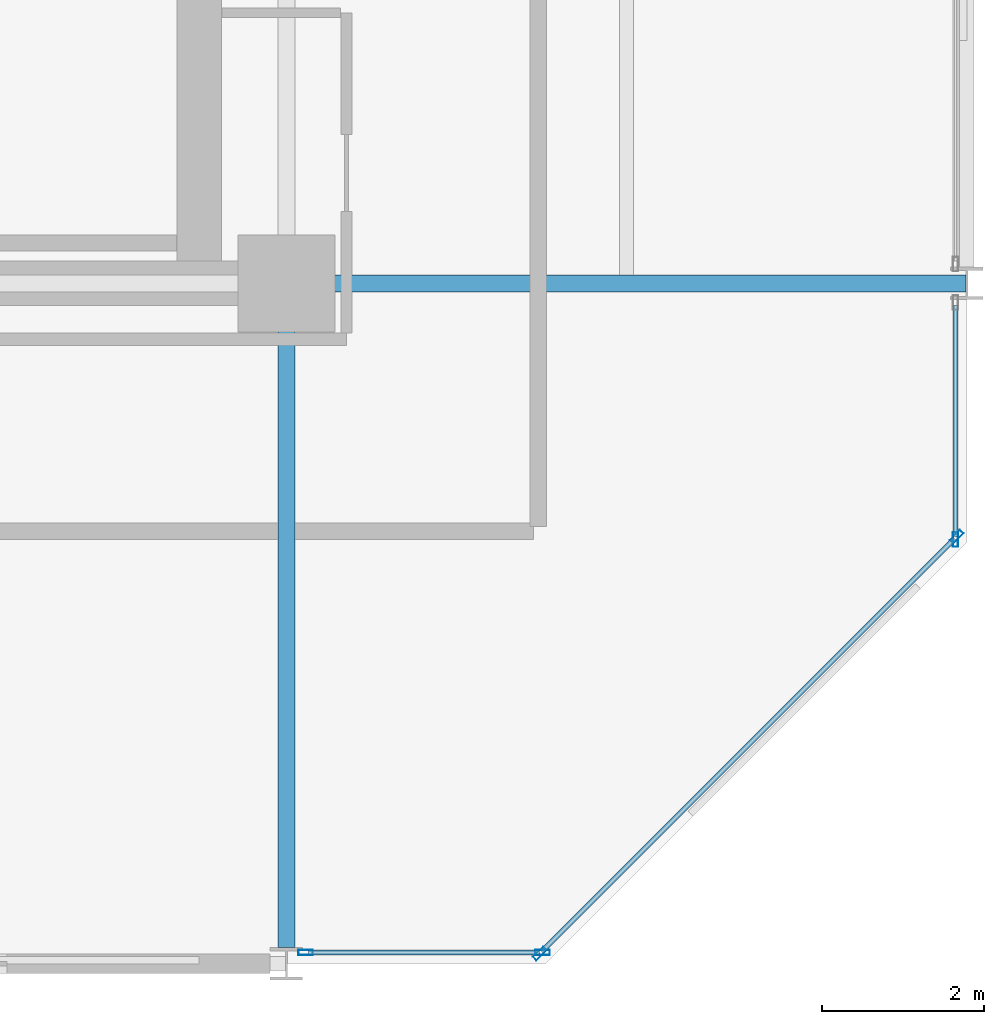
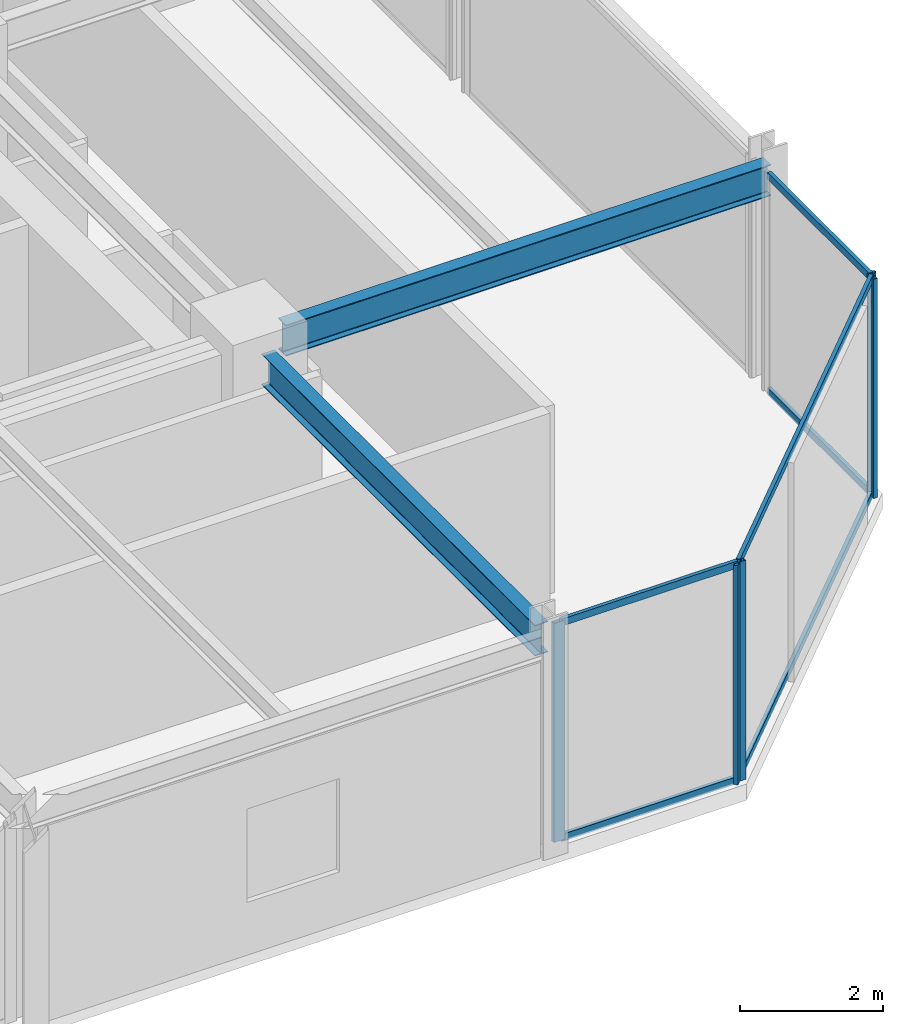
# One storey, part 13 of 29: 11 members, 2 beams, 3 elements without a shape of their own.
"""IFC4 building model written with IfcOpenShell, lengths in metres."""

from ifc_helpers import new_model, si_unit, direction, frame, origin, origin_2d, place, context, subcontext, project, spatial, hollow_rectangle, i_section, extrude, material, layer, layer_set, material_profile, profile_set, type_object, element, aggregate, save


model = new_model("IFC4")

# Units and contexts
model_context = context("Model", 3, precision=1e-05, world=origin(), true_north=direction((0.0, 1.0)))
body_context = subcontext(model_context, "Body", "Model", "MODEL_VIEW")
ifc_project = project(units=[si_unit("LENGTHUNIT", "METRE"), si_unit("AREAUNIT", "SQUARE_METRE"), si_unit("VOLUMEUNIT", "CUBIC_METRE"), si_unit("PLANEANGLEUNIT", "RADIAN"), si_unit("MASSUNIT", "GRAM", prefix="KILO")], contexts=[model_context])

# Site, building, storey
site_placement = place(None, origin())
site = spatial("IfcSite", under=ifc_project, at=site_placement, CompositionType="ELEMENT")
building_placement = place(site_placement, origin())
building = spatial("IfcBuilding", under=site, at=building_placement, Name="Nerrivon Quay Data Exchange", CompositionType="ELEMENT")
storey_placement = place(building_placement, frame((0.0, 0.0, 158.199951171875)))
storey = spatial("IfcBuildingStorey", under=building, at=storey_placement, Name="L37", CompositionType="ELEMENT", Elevation=158.199951171875)

# Beams
ifc_material_1 = material(Name="Steel Grade 350", Category="steel")
ifc_material_profile_1 = material_profile(ifc_material_1, i_section(OverallWidth=0.208984375, OverallDepth=0.532958984375, WebThickness=0.01025390625, FlangeThickness=0.015625, FilletRadius=0.013916015625, at=origin_2d()), Name="530UB92.4")
ifc_profile_set_1 = profile_set([ifc_material_profile_1], Name="Steel Grade 350")
beam_type_1 = type_object("IfcBeamType", Name="BM-G3-530UB92", PredefinedType="BEAM", material=ifc_profile_set_1)
beam_1_placement = place(storey_placement, frame((34.139892578125, 8.39990234375, 3.483642578125), z_axis=(1.0, 0.0, 0.0), x_axis=(0.0, 1.0, 0.0)))
element("IfcBeam", 1, at=beam_1_placement, inside=storey, type_object=beam_type_1, Name="L37 EW Girder Y=8.4 (33.6..42.0)", PredefinedType="BEAM", context=body_context, shape_type="SweptSolid", body=[
    extrude(i_section(OverallWidth=0.208984375, OverallDepth=0.532958984375, WebThickness=0.01025390625, FlangeThickness=0.015625, FilletRadius=0.013916015625, at=origin_2d()), origin(), (0.0, 0.0, 1.0), 7.84765625),
])
ifc_material_profile_2 = material_profile(ifc_material_1, i_section(OverallWidth=0.208984375, OverallDepth=0.528076171875, WebThickness=0.009521484375, FlangeThickness=0.01318359375, FilletRadius=0.013916015625, at=origin_2d()), Name="530UB82.0")
ifc_profile_set_2 = profile_set([ifc_material_profile_2], Name="Steel Grade 350")
beam_type_2 = type_object("IfcBeamType", Name="BM-G4-530UB82", PredefinedType="BEAM", material=ifc_profile_set_2)
beam_2_placement = place(storey_placement, frame((33.60009765625, 0.199951171875, 3.486083984375), z_axis=(0.0, 1.0, 0.0), x_axis=(-1.0, 0.0, 0.0)))
element("IfcBeam", 2, at=beam_2_placement, inside=storey, type_object=beam_type_2, Name="L37 NS Girder X=33.6 (0.0..8.4)", PredefinedType="BEAM", context=body_context, shape_type="SweptSolid", body=[
    extrude(i_section(OverallWidth=0.208984375, OverallDepth=0.528076171875, WebThickness=0.009521484375, FlangeThickness=0.01318359375, FilletRadius=0.013916015625, at=origin_2d()), origin(), (0.0, 0.0, 1.0), 7.66015625),
])

# Curtain wall, members
ifc_material_2 = material(Name="Anodised aluminium 6063-T6", Category="aluminium")
ifc_layer = layer(ifc_material_2, 0.2099609375)
ifc_layer_set = layer_set([ifc_layer], Name="Anodised aluminium 6063-T6")
curtain_wall_type = type_object("IfcCurtainWallType", Name="CW-SYS-02", PredefinedType="NOTDEFINED", material=ifc_layer_set)
curtain_wall_1_placement = place(storey_placement, origin())
curtain_wall_1 = element("IfcCurtainWall", 3, at=curtain_wall_1_placement, inside=storey, type_object=curtain_wall_type, Name="L37 Unitised Curtain Wall 1", PredefinedType="NOTDEFINED")
ifc_material_profile_3 = material_profile(ifc_material_2, hollow_rectangle(XDim=0.06494140625, YDim=0.179931640625, WallThickness=0.00341796875, at=origin_2d()), Name="ALU-MULL-180x65")
ifc_profile_set_3 = profile_set([ifc_material_profile_3], Name="Anodised aluminium 6063-T6")
member_type_1 = type_object("IfcMemberType", Name="CWM-180x65", PredefinedType="MULLION", material=ifc_profile_set_3)
member_1_placement = place(storey_placement, frame((41.87451171875, 5.2724609375, 0.0), z_axis=(0.0, 0.0, 1.0), x_axis=(0.707106781187, -0.707106781187, 0.0)))
member_1 = element("IfcMember", 4, at=member_1_placement, type_object=member_type_1, Name="CW02 mullion 1", PredefinedType="MULLION", context=body_context, shape_type="SweptSolid", body=[
    extrude(hollow_rectangle(XDim=0.06494140625, YDim=0.179931640625, WallThickness=0.00341796875, at=origin_2d()), origin(), (0.0, 0.0, 1.0), 3.75),
])
member_2_placement = place(storey_placement, frame((36.7275390625, 0.12548828125, 0.0), z_axis=(0.0, 0.0, 1.0), x_axis=(0.707106781187, -0.707106781187, 0.0)))
member_2 = element("IfcMember", 5, at=member_2_placement, type_object=member_type_1, Name="CW02 mullion 2", PredefinedType="MULLION", context=body_context, shape_type="SweptSolid", body=[
    extrude(hollow_rectangle(XDim=0.06494140625, YDim=0.179931640625, WallThickness=0.00341796875, at=origin_2d()), origin(), (0.0, 0.0, 1.0), 3.75),
])

curtain_wall_2_placement = place(storey_placement, origin())
curtain_wall_2 = element("IfcCurtainWall", 6, at=curtain_wall_2_placement, inside=storey, type_object=curtain_wall_type, Name="L37 Unitised Curtain Wall 2", PredefinedType="NOTDEFINED")
member_3_placement = place(storey_placement, frame((36.762451171875, 0.139892578125, 0.0), z_axis=(0.0, 0.0, 1.0), x_axis=(0.0, -1.0, 0.0)))
member_3 = element("IfcMember", 7, at=member_3_placement, type_object=member_type_1, Name="CW02 mullion 1", PredefinedType="MULLION", context=body_context, shape_type="SweptSolid", body=[
    extrude(hollow_rectangle(XDim=0.06494140625, YDim=0.179931640625, WallThickness=0.00341796875, at=origin_2d()), origin(), (0.0, 0.0, 1.0), 3.75),
])
member_4_placement = place(storey_placement, frame((33.83740234375, 0.139892578125, 0.0), z_axis=(0.0, 0.0, 1.0), x_axis=(0.0, -1.0, 0.0)))
member_4 = element("IfcMember", 8, at=member_4_placement, type_object=member_type_1, Name="CW02 mullion 2", PredefinedType="MULLION", context=body_context, shape_type="SweptSolid", body=[
    extrude(hollow_rectangle(XDim=0.06494140625, YDim=0.179931640625, WallThickness=0.00341796875, at=origin_2d()), origin(), (0.0, 0.0, 1.0), 3.75),
])

# Curtain wall, member
curtain_wall_3_placement = place(storey_placement, origin())
curtain_wall_3 = element("IfcCurtainWall", 9, at=curtain_wall_3_placement, inside=storey, type_object=curtain_wall_type, Name="L37 Unitised Curtain Wall 30", PredefinedType="NOTDEFINED")
member_5_placement = place(storey_placement, frame((41.860107421875, 5.237548828125, 0.0), z_axis=(0.0, 0.0, 1.0), x_axis=(1.0, 0.0, 0.0)))
member_5 = element("IfcMember", 10, at=member_5_placement, type_object=member_type_1, Name="CW02 mullion 2", PredefinedType="MULLION", context=body_context, shape_type="SweptSolid", body=[
    extrude(hollow_rectangle(XDim=0.06494140625, YDim=0.179931640625, WallThickness=0.00341796875, at=origin_2d()), origin(), (0.0, 0.0, 1.0), 3.75),
])

# Member
ifc_material_profile_4 = material_profile(ifc_material_2, hollow_rectangle(XDim=0.06005859375, YDim=0.1201171875, WallThickness=0.003173828125, at=origin_2d()), Name="ALU-TRAN-120x60")
ifc_profile_set_4 = profile_set([ifc_material_profile_4], Name="Anodised aluminium 6063-T6")
member_type_2 = type_object("IfcMemberType", Name="CWT-120x60", PredefinedType="USERDEFINED", material=ifc_profile_set_4)
member_6_placement = place(storey_placement, frame((41.847900390625, 5.245849609375, 0.032470703125), z_axis=(-0.707106781187, -0.707106781187, 0.0), x_axis=(0.707106781187, -0.707106781187, 0.0)))
member_6 = element("IfcMember", 11, at=member_6_placement, type_object=member_type_2, Name="CW02 transom 1.1", ObjectType="TRANSOM", PredefinedType="USERDEFINED", context=body_context, shape_type="SweptSolid", body=[
    extrude(hollow_rectangle(XDim=0.06005859375, YDim=0.1201171875, WallThickness=0.003173828125, at=origin_2d()), origin(), (0.0, 0.0, 1.0), 7.20361328125),
])

member_7_placement = place(storey_placement, frame((41.847900390625, 5.245849609375, 3.717529296875), z_axis=(-0.707106781187, -0.707106781187, 0.0), x_axis=(0.707106781187, -0.707106781187, 0.0)))
member_7 = element("IfcMember", 12, at=member_7_placement, type_object=member_type_2, Name="CW02 transom 1.2", ObjectType="TRANSOM", PredefinedType="USERDEFINED", context=body_context, shape_type="SweptSolid", body=[
    extrude(hollow_rectangle(XDim=0.06005859375, YDim=0.1201171875, WallThickness=0.003173828125, at=origin_2d()), origin(), (0.0, 0.0, 1.0), 7.20361328125),
])

aggregate(curtain_wall_1, [member_1, member_2, member_6, member_7])

member_8_placement = place(storey_placement, frame((36.72509765625, 0.139892578125, 0.032470703125), z_axis=(-1.0, 0.0, 0.0), x_axis=(0.0, -1.0, 0.0)))
member_8 = element("IfcMember", 13, at=member_8_placement, type_object=member_type_2, Name="CW02 transom 1.1", ObjectType="TRANSOM", PredefinedType="USERDEFINED", context=body_context, shape_type="SweptSolid", body=[
    extrude(hollow_rectangle(XDim=0.06005859375, YDim=0.1201171875, WallThickness=0.003173828125, at=origin_2d()), origin(), (0.0, 0.0, 1.0), 2.85009765625),
])

member_9_placement = place(storey_placement, frame((36.72509765625, 0.139892578125, 3.717529296875), z_axis=(-1.0, 0.0, 0.0), x_axis=(0.0, -1.0, 0.0)))
member_9 = element("IfcMember", 14, at=member_9_placement, type_object=member_type_2, Name="CW02 transom 1.2", ObjectType="TRANSOM", PredefinedType="USERDEFINED", context=body_context, shape_type="SweptSolid", body=[
    extrude(hollow_rectangle(XDim=0.06005859375, YDim=0.1201171875, WallThickness=0.003173828125, at=origin_2d()), origin(), (0.0, 0.0, 1.0), 2.85009765625),
])

aggregate(curtain_wall_2, [member_3, member_4, member_8, member_9])

member_10_placement = place(storey_placement, frame((41.860107421875, 8.125, 0.032470703125), z_axis=(0.0, -1.0, 0.0), x_axis=(1.0, 0.0, 0.0)))
member_10 = element("IfcMember", 15, at=member_10_placement, type_object=member_type_2, Name="CW02 transom 1.1", ObjectType="TRANSOM", PredefinedType="USERDEFINED", context=body_context, shape_type="SweptSolid", body=[
    extrude(hollow_rectangle(XDim=0.06005859375, YDim=0.1201171875, WallThickness=0.003173828125, at=origin_2d()), origin(), (0.0, 0.0, 1.0), 2.85009765625),
])

member_11_placement = place(storey_placement, frame((41.860107421875, 8.125, 3.717529296875), z_axis=(0.0, -1.0, 0.0), x_axis=(1.0, 0.0, 0.0)))
member_11 = element("IfcMember", 16, at=member_11_placement, type_object=member_type_2, Name="CW02 transom 1.2", ObjectType="TRANSOM", PredefinedType="USERDEFINED", context=body_context, shape_type="SweptSolid", body=[
    extrude(hollow_rectangle(XDim=0.06005859375, YDim=0.1201171875, WallThickness=0.003173828125, at=origin_2d()), origin(), (0.0, 0.0, 1.0), 2.85009765625),
])

aggregate(curtain_wall_3, [member_5, member_10, member_11])

save(model, "model.ifc")
